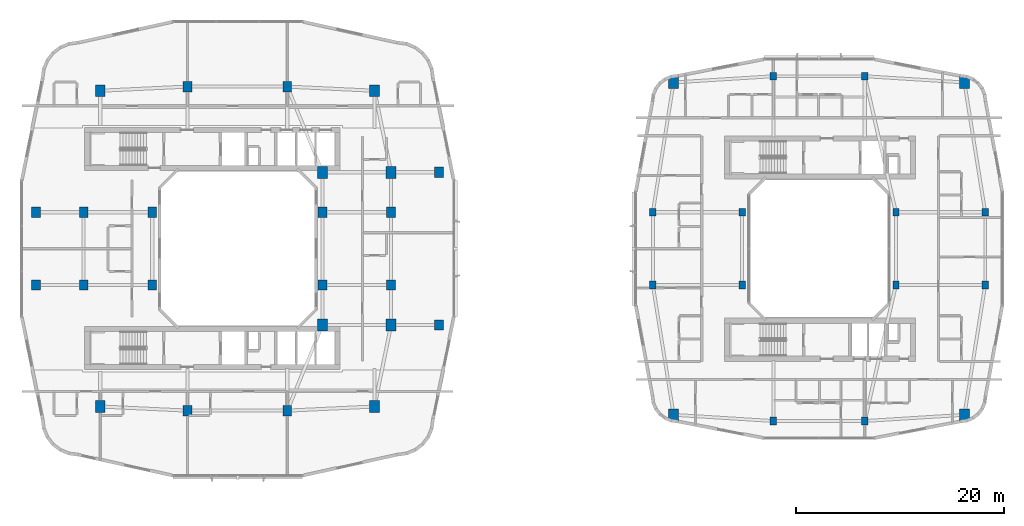
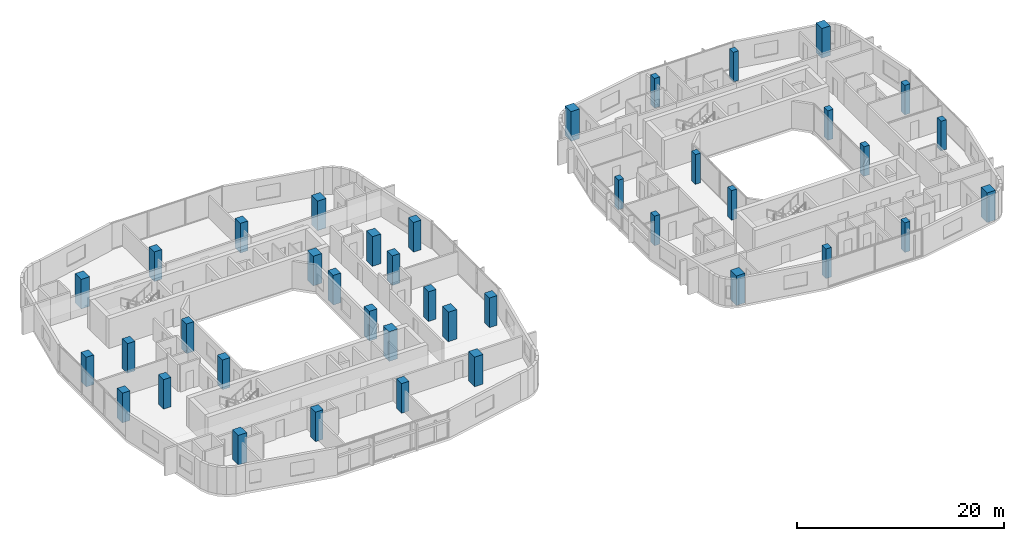
# One storey, part 1 of 25: 40 columns.
"""IFC4 building model written with IfcOpenShell, lengths in metres."""

from ifc_helpers import new_model, si_unit, derived_unit, direction, frame, origin, origin_2d, place, context, subcontext, project, spatial, rectangle, extrude, material, material_profile, profile_set, type_object, element, save


model = new_model("IFC4")

# Units and contexts
model_context = context("Model", 3, precision=1e-05, world=origin(), true_north=direction((0.0, 1.0)))
body_context = subcontext(model_context, "Body", "Model", "MODEL_VIEW")
ifc_project = project(units=[si_unit("LENGTHUNIT", "METRE"), si_unit("AREAUNIT", "SQUARE_METRE"), si_unit("VOLUMEUNIT", "CUBIC_METRE"), si_unit("PLANEANGLEUNIT", "RADIAN"), si_unit("MASSUNIT", "GRAM", prefix="KILO"), derived_unit("THERMALTRANSMITTANCEUNIT", [(si_unit("POWERUNIT", "WATT"), 1), (si_unit("LENGTHUNIT", "METRE"), -2), (si_unit("THERMODYNAMICTEMPERATUREUNIT", "KELVIN"), -1)])], contexts=[model_context])

# Site, building, storey
site_placement = place(None, origin())
site = spatial("IfcSite", under=ifc_project, at=site_placement, CompositionType="ELEMENT")
building_placement = place(site_placement, origin())
building = spatial("IfcBuilding", under=site, at=building_placement, Name="Kivonza Crest Hotel", CompositionType="ELEMENT")
storey_placement = place(building_placement, frame((0.0, 0.0, 87.0)))
storey = spatial("IfcBuildingStorey", under=building, at=storey_placement, Name="L23", CompositionType="ELEMENT", Elevation=87.0)

# Columns
ifc_material_1 = material(Name="Concrete C50/60", Category="concrete")
ifc_material_profile_1 = material_profile(ifc_material_1, rectangle(XDim=0.85009765625, YDim=1.0, at=origin_2d()), Name="RC 1000x850")
ifc_profile_set_1 = profile_set([ifc_material_profile_1], Name="Concrete C50/60")
column_type_1 = type_object("IfcColumnType", Name="CL-RC-1000x850", PredefinedType="COLUMN", material=ifc_profile_set_1)
for number, where, z_axis, x_axis, name in (
    (1, (16.199951171875, 9.39990234375, 0.0), (0.0, 0.0, 1.0), (1.0, 0.0, 0.0), "Tower T1 L23 column S1"),
    (2, (25.800048828125, 9.39990234375, 0.0), (0.0, 0.0, 1.0), (1.0, 0.0, 0.0), "Tower T1 L23 column S2"),
    (3, (16.199951171875, 40.60009765625, 0.0), (0.0, 0.0, 1.0), (1.0, 0.0, 0.0), "Tower T1 L23 column N1"),
    (4, (25.800048828125, 40.60009765625, 0.0), (0.0, 0.0, 1.0), (1.0, 0.0, 0.0), "Tower T1 L23 column N2"),
    (5, (6.199951171875, 21.5, 0.0), (0.0, 0.0, 1.0), (1.0, 0.0, 0.0), "Tower T1 L23 column W1"),
    (6, (6.199951171875, 28.5, 0.0), (0.0, 0.0, 1.0), (1.0, 0.0, 0.0), "Tower T1 L23 column W2"),
    (7, (35.800048828125, 21.5, 0.0), (0.0, 0.0, 1.0), (1.0, 0.0, 0.0), "Tower T1 L23 column E1"),
    (8, (35.800048828125, 28.5, 0.0), (0.0, 0.0, 1.0), (1.0, 0.0, 0.0), "Tower T1 L23 column E2"),
    (9, (12.800048828125, 21.5, 0.0), (0.0, 0.0, 1.0), (1.0, 0.0, 0.0), "Tower T1 L23 column WL1"),
    (10, (12.800048828125, 28.5, 0.0), (0.0, 0.0, 1.0), (1.0, 0.0, 0.0), "Tower T1 L23 column WL2"),
    (11, (29.199951171875, 21.5, 0.0), (0.0, 0.0, 1.0), (1.0, 0.0, 0.0), "Tower T1 L23 column WR1"),
    (12, (29.199951171875, 28.5, 0.0), (0.0, 0.0, 1.0), (1.0, 0.0, 0.0), "Tower T1 L23 column WR2"),
    (13, (1.60009765625, 21.5, 0.0), (0.0, 0.0, 1.0), (1.0, 0.0, 0.0), "Tower T1 L23 column Z1W1"),
    (14, (1.60009765625, 28.5, 0.0), (0.0, 0.0, 1.0), (1.0, 0.0, 0.0), "Tower T1 L23 column Z1W2"),
    (15, (40.39990234375, 17.64990234375, 0.0), (0.0, 0.0, 1.0), (1.0, 0.0, 0.0), "Tower T1 L23 column Z1E1"),
    (16, (40.39990234375, 32.35009765625, 0.0), (0.0, 0.0, 1.0), (1.0, 0.0, 0.0), "Tower T1 L23 column Z1E2"),
):
    element("IfcColumn", number, at=place(storey_placement, frame(where, z_axis=z_axis, x_axis=x_axis)), inside=storey, type_object=column_type_1, Name=name, PredefinedType="COLUMN", context=body_context, shape_type="SweptSolid", body=[
        extrude(rectangle(XDim=0.85009765625, YDim=1.0, at=origin_2d()), origin(), (0.0, 0.0, 1.0), 3.5),
    ])
ifc_material_2 = material(Name="Concrete C60/75", Category="concrete")
ifc_material_profile_2 = material_profile(ifc_material_2, rectangle(XDim=0.949951171875, YDim=1.14990234375, at=origin_2d()), Name="RC 1150x950")
ifc_profile_set_2 = profile_set([ifc_material_profile_2], Name="Concrete C60/75")
column_type_2 = type_object("IfcColumnType", Name="CL-RC-1150x950", PredefinedType="COLUMN", material=ifc_profile_set_2)
for number, where, z_axis, x_axis, name in (
    (17, (7.800048828125, 9.800048828125, 0.0), (0.0, 0.0, 1.0), (1.0, 0.0, 0.0), "Tower T1 L23 column SW"),
    (18, (34.199951171875, 9.800048828125, 0.0), (0.0, 0.0, 1.0), (1.0, 0.0, 0.0), "Tower T1 L23 column SE"),
    (19, (34.199951171875, 40.199951171875, 0.0), (0.0, 0.0, 1.0), (1.0, 0.0, 0.0), "Tower T1 L23 column NE"),
    (20, (7.800048828125, 40.199951171875, 0.0), (0.0, 0.0, 1.0), (1.0, 0.0, 0.0), "Tower T1 L23 column NW"),
    (21, (35.800048828125, 17.64990234375, 0.0), (0.0, 0.0, 1.0), (1.0, 0.0, 0.0), "Tower T1 L23 column PSE"),
    (22, (35.800048828125, 32.35009765625, 0.0), (0.0, 0.0, 1.0), (1.0, 0.0, 0.0), "Tower T1 L23 column PNE"),
    (23, (29.199951171875, 17.64990234375, 0.0), (0.0, 0.0, 1.0), (1.0, 0.0, 0.0), "Tower T1 L23 column TSE"),
    (24, (29.199951171875, 32.35009765625, 0.0), (0.0, 0.0, 1.0), (1.0, 0.0, 0.0), "Tower T1 L23 column TNE"),
    (25, (63.0, 9.0, 0.0), (0.0, 0.0, 1.0), (1.0, 0.0, 0.0), "Companion Tower T2 L23 column SW"),
    (26, (91.0, 9.0, 0.0), (0.0, 0.0, 1.0), (1.0, 0.0, 0.0), "Companion Tower T2 L23 column SE"),
    (27, (91.0, 41.0, 0.0), (0.0, 0.0, 1.0), (1.0, 0.0, 0.0), "Companion Tower T2 L23 column NE"),
    (28, (63.0, 41.0, 0.0), (0.0, 0.0, 1.0), (1.0, 0.0, 0.0), "Companion Tower T2 L23 column NW"),
):
    element("IfcColumn", number, at=place(storey_placement, frame(where, z_axis=z_axis, x_axis=x_axis)), inside=storey, type_object=column_type_2, Name=name, PredefinedType="COLUMN", context=body_context, shape_type="SweptSolid", body=[
        extrude(rectangle(XDim=0.949951171875, YDim=1.14990234375, at=origin_2d()), origin(), (0.0, 0.0, 1.0), 3.5),
    ])
ifc_material_profile_3 = material_profile(ifc_material_1, rectangle(XDim=0.60009765625, YDim=0.75, at=origin_2d()), Name="RC 750x600")
ifc_profile_set_3 = profile_set([ifc_material_profile_3], Name="Concrete C50/60")
column_type_3 = type_object("IfcColumnType", Name="CL-RC-750x600", PredefinedType="COLUMN", material=ifc_profile_set_3)
for number, where, z_axis, x_axis, name in (
    (29, (72.60009765625, 8.39990234375, 0.0), (0.0, 0.0, 1.0), (1.0, 0.0, 0.0), "Companion Tower T2 L23 column S1"),
    (30, (81.39990234375, 8.39990234375, 0.0), (0.0, 0.0, 1.0), (1.0, 0.0, 0.0), "Companion Tower T2 L23 column S2"),
    (31, (72.60009765625, 41.60009765625, 0.0), (0.0, 0.0, 1.0), (1.0, 0.0, 0.0), "Companion Tower T2 L23 column N1"),
    (32, (81.39990234375, 41.60009765625, 0.0), (0.0, 0.0, 1.0), (1.0, 0.0, 0.0), "Companion Tower T2 L23 column N2"),
    (33, (61.0, 21.5, 0.0), (0.0, 0.0, 1.0), (1.0, 0.0, 0.0), "Companion Tower T2 L23 column W1"),
    (34, (61.0, 28.5, 0.0), (0.0, 0.0, 1.0), (1.0, 0.0, 0.0), "Companion Tower T2 L23 column W2"),
    (35, (93.0, 21.5, 0.0), (0.0, 0.0, 1.0), (1.0, 0.0, 0.0), "Companion Tower T2 L23 column E1"),
    (36, (93.0, 28.5, 0.0), (0.0, 0.0, 1.0), (1.0, 0.0, 0.0), "Companion Tower T2 L23 column E2"),
    (37, (69.60009765625, 21.5, 0.0), (0.0, 0.0, 1.0), (1.0, 0.0, 0.0), "Companion Tower T2 L23 column WL1"),
    (38, (69.60009765625, 28.5, 0.0), (0.0, 0.0, 1.0), (1.0, 0.0, 0.0), "Companion Tower T2 L23 column WL2"),
    (39, (84.39990234375, 21.5, 0.0), (0.0, 0.0, 1.0), (1.0, 0.0, 0.0), "Companion Tower T2 L23 column WR1"),
    (40, (84.39990234375, 28.5, 0.0), (0.0, 0.0, 1.0), (1.0, 0.0, 0.0), "Companion Tower T2 L23 column WR2"),
):
    element("IfcColumn", number, at=place(storey_placement, frame(where, z_axis=z_axis, x_axis=x_axis)), inside=storey, type_object=column_type_3, Name=name, PredefinedType="COLUMN", context=body_context, shape_type="SweptSolid", body=[
        extrude(rectangle(XDim=0.60009765625, YDim=0.75, at=origin_2d()), origin(), (0.0, 0.0, 1.0), 3.5),
    ])

save(model, "model.ifc")
